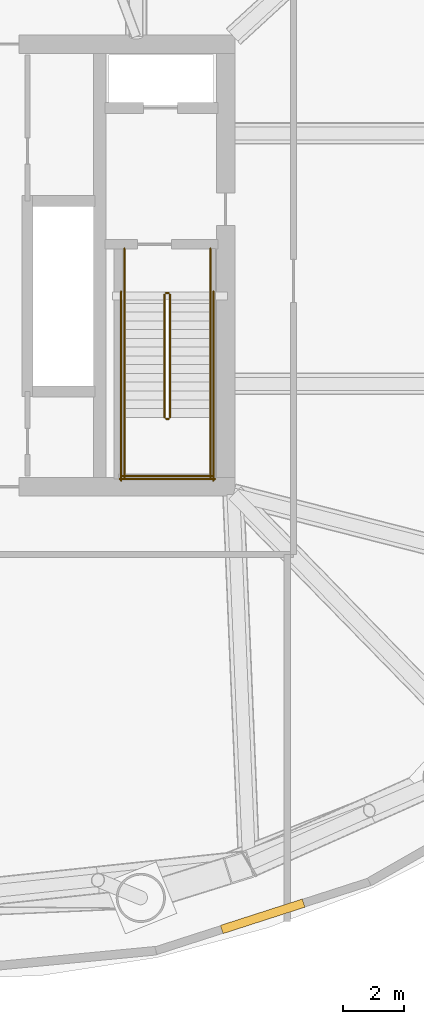
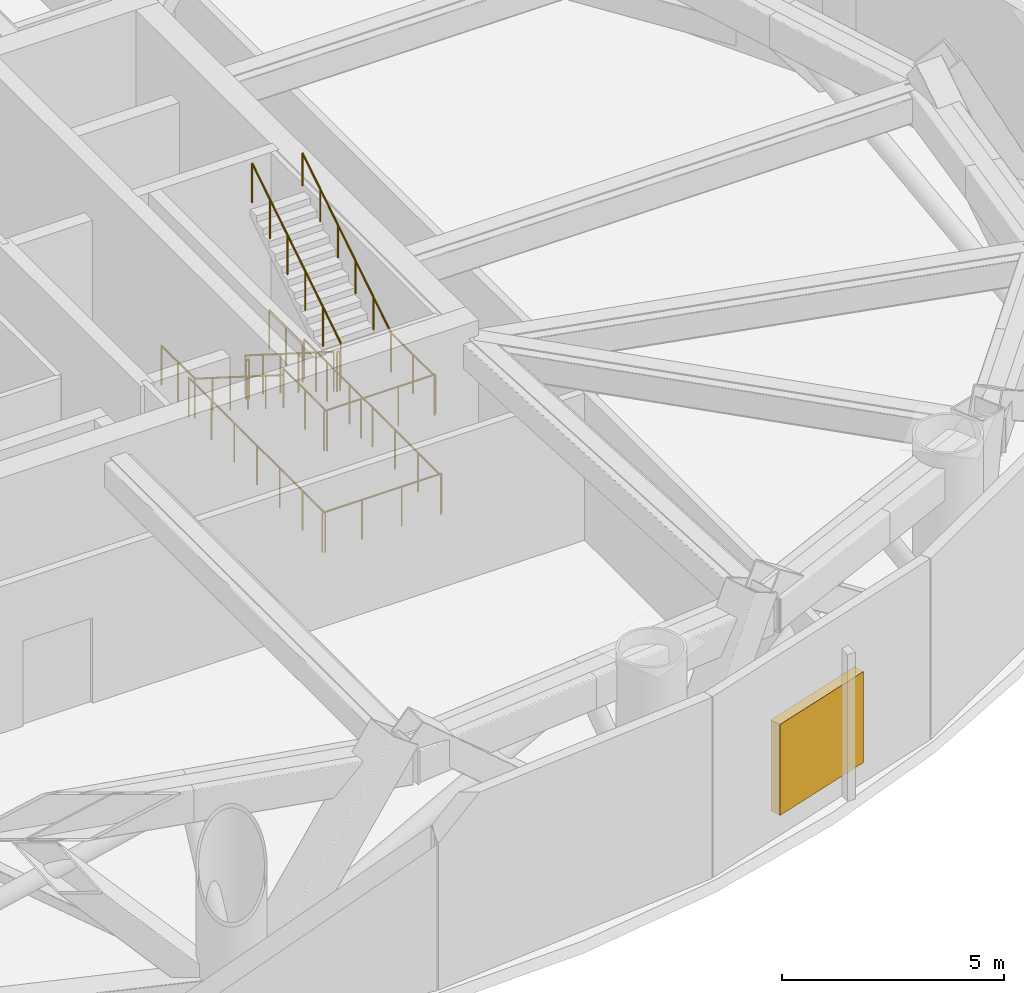
# One storey, part 12 of 13: 14 railings, 1 shading device.
"""IFC4 building model written with IfcOpenShell, lengths in metres."""

from ifc_helpers import new_model, si_unit, direction, frame, origin, origin_2d, place, context, subcontext, project, spatial, rectangle, circle, extrude, material, type_object, element, save


model = new_model("IFC4")

# Units and contexts
model_context = context("Model", 3, precision=1e-05, world=origin(), true_north=direction((0.0, 1.0)))
body_context = subcontext(model_context, "Body", "Model", "MODEL_VIEW")
ifc_project = project(units=[si_unit("LENGTHUNIT", "METRE"), si_unit("AREAUNIT", "SQUARE_METRE"), si_unit("VOLUMEUNIT", "CUBIC_METRE"), si_unit("PLANEANGLEUNIT", "RADIAN"), si_unit("MASSUNIT", "GRAM", prefix="KILO")], contexts=[model_context])

# Site, building, storey
site_placement = place(None, origin())
site = spatial("IfcSite", under=ifc_project, at=site_placement, CompositionType="ELEMENT")
building_placement = place(site_placement, origin())
building = spatial("IfcBuilding", under=site, at=building_placement, Name="Bramvorn Convention Spire", CompositionType="ELEMENT")
storey_placement = place(building_placement, frame((0.0, 0.0, 97.39990234375)))
storey = spatial("IfcBuildingStorey", under=building, at=storey_placement, Name="L23", CompositionType="ELEMENT", Elevation=97.39990234375)

# Railings
ifc_material_1 = material(Name="Painted Steel Balustrade & Guardrail", Category="steel")
railing_type_1 = type_object("IfcRailingType", Name="RL-STAIR-GUARD-1100", PredefinedType="GUARDRAIL", material=ifc_material_1)
railing_1_placement = place(storey_placement, frame((47.010009765625, 25.050048828125, 0.18017578125)))
element("IfcRailing", 1, at=railing_1_placement, inside=storey, type_object=railing_type_1, Name="L23 ST2 stair guard 1", PredefinedType="GUARDRAIL", context=body_context, shape_type="SweptSolid", body=[
    extrude(circle(Radius=0.02392578125, at=origin_2d()), frame((0.0, 0.0, 1.076171875), z_axis=(0.0, -0.845486444383, 0.533996884227), x_axis=(1.0, 0.0, 0.0)), (0.0, 0.0, 1.0), 4.71923828125),
    extrude(circle(Radius=0.02099609375, at=origin_2d()), origin(), (0.0, 0.0, 1.0), 1.052001953125),
    extrude(circle(Radius=0.02099609375, at=origin_2d()), frame((0.0, -0.798095703125, 0.50390625)), (0.0, 0.0, 1.0), 1.052001953125),
    extrude(circle(Radius=0.02099609375, at=origin_2d()), frame((0.0, -1.595947265625, 1.008056640625)), (0.0, 0.0, 1.0), 1.052001953125),
    extrude(circle(Radius=0.02099609375, at=origin_2d()), frame((0.0, -2.39404296875, 1.511962890625)), (0.0, 0.0, 1.0), 1.052001953125),
    extrude(circle(Radius=0.02099609375, at=origin_2d()), frame((0.0, -3.19189453125, 2.01611328125)), (0.0, 0.0, 1.0), 1.052001953125),
    extrude(circle(Radius=0.02099609375, at=origin_2d()), frame((0.0, -3.989990234375, 2.52001953125)), (0.0, 0.0, 1.0), 1.052001953125),
])
railing_2_placement = place(storey_placement, frame((47.06005859375, 21.010009765625, 2.7001953125)))
element("IfcRailing", 2, at=railing_2_placement, inside=storey, type_object=railing_type_1, Name="L23 ST2 stair guard 2", PredefinedType="GUARDRAIL", context=body_context, shape_type="SweptSolid", body=[
    extrude(circle(Radius=0.02392578125, at=origin_2d()), frame((0.0, 0.0, 1.076171875), z_axis=(1.0, 0.0, 0.0), x_axis=(0.0, 1.0, 0.0)), (0.0, 0.0, 1.0), 0.079833984375),
    extrude(circle(Radius=0.02099609375, at=origin_2d()), origin(), (0.0, 0.0, 1.0), 1.052001953125),
    extrude(circle(Radius=0.02099609375, at=origin_2d()), frame((0.079833984375, 0.0, 0.0)), (0.0, 0.0, 1.0), 1.052001953125),
])
for number, where, name in (
    (3, (45.699951171875, 21.06005859375, 2.7001953125), "L23 ST2 stair guard 3"),
    (4, (48.5, 21.06005859375, 2.7001953125), "L23 ST2 stair guard 4"),
):
    element("IfcRailing", number, at=place(storey_placement, frame(where)), inside=storey, type_object=railing_type_1, Name=name, PredefinedType="GUARDRAIL", context=body_context, shape_type="SweptSolid", body=[
        extrude(circle(Radius=0.02392578125, at=origin_2d()), frame((0.0, 0.0, 1.076171875), z_axis=(0.0, -1.0, 0.0), x_axis=(1.0, 0.0, 0.0)), (0.0, 0.0, 1.0), 1.9599609375),
        extrude(circle(Radius=0.02099609375, at=origin_2d()), origin(), (0.0, 0.0, 1.0), 1.052001953125),
        extrude(circle(Radius=0.02099609375, at=origin_2d()), frame((0.0, -0.97998046875, 0.0)), (0.0, 0.0, 1.0), 1.052001953125),
        extrude(circle(Radius=0.02099609375, at=origin_2d()), frame((0.0, -1.9599609375, 0.0)), (0.0, 0.0, 1.0), 1.052001953125),
    ])
railing_3_placement = place(storey_placement, frame((45.64990234375, 19.14990234375, 2.7001953125)))
element("IfcRailing", 5, at=railing_3_placement, inside=storey, type_object=railing_type_1, Name="L23 ST2 stair guard 5", PredefinedType="GUARDRAIL", context=body_context, shape_type="SweptSolid", body=[
    extrude(circle(Radius=0.02392578125, at=origin_2d()), frame((0.0, 0.0, 1.076171875), z_axis=(1.0, 0.0, 0.0), x_axis=(0.0, 1.0, 0.0)), (0.0, 0.0, 1.0), 2.900146484375),
    extrude(circle(Radius=0.02099609375, at=origin_2d()), origin(), (0.0, 0.0, 1.0), 1.052001953125),
    extrude(circle(Radius=0.02099609375, at=origin_2d()), frame((0.966796875, 0.0, 0.0)), (0.0, 0.0, 1.0), 1.052001953125),
    extrude(circle(Radius=0.02099609375, at=origin_2d()), frame((1.933349609375, 0.0, 0.0)), (0.0, 0.0, 1.0), 1.052001953125),
    extrude(circle(Radius=0.02099609375, at=origin_2d()), frame((2.900146484375, 0.0, 0.0)), (0.0, 0.0, 1.0), 1.052001953125),
])
railing_4_placement = place(storey_placement, frame((47.18994140625, 21.06005859375, 2.880126953125)))
element("IfcRailing", 6, at=railing_4_placement, inside=storey, type_object=railing_type_1, Name="L23 ST2 stair guard 6", PredefinedType="GUARDRAIL", context=body_context, shape_type="SweptSolid", body=[
    extrude(circle(Radius=0.02392578125, at=origin_2d()), frame((0.0, 0.0, 1.076171875), z_axis=(0.0, 0.845486444383, 0.533996884227), x_axis=(-1.0, 0.0, 0.0)), (0.0, 0.0, 1.0), 4.71923828125),
    extrude(circle(Radius=0.02099609375, at=origin_2d()), origin(), (0.0, 0.0, 1.0), 1.052001953125),
    extrude(circle(Radius=0.02099609375, at=origin_2d()), frame((0.0, 0.798095703125, 0.50390625)), (0.0, 0.0, 1.0), 1.052001953125),
    extrude(circle(Radius=0.02099609375, at=origin_2d()), frame((0.0, 1.595947265625, 1.008056640625)), (0.0, 0.0, 1.0), 1.052001953125),
    extrude(circle(Radius=0.02099609375, at=origin_2d()), frame((0.0, 2.39404296875, 1.511962890625)), (0.0, 0.0, 1.0), 1.052001953125),
    extrude(circle(Radius=0.02099609375, at=origin_2d()), frame((0.0, 3.19189453125, 2.01611328125)), (0.0, 0.0, 1.0), 1.052001953125),
    extrude(circle(Radius=0.02099609375, at=origin_2d()), frame((0.0, 3.989990234375, 2.52001953125)), (0.0, 0.0, 1.0), 1.052001953125),
])
railing_5_placement = place(storey_placement, frame((47.06005859375, 25.10009765625, 0.0)))
element("IfcRailing", 7, at=railing_5_placement, inside=storey, type_object=railing_type_1, Name="L23 ST2 stair guard 7", PredefinedType="GUARDRAIL", context=body_context, shape_type="SweptSolid", body=[
    extrude(circle(Radius=0.02392578125, at=origin_2d()), frame((0.0, 0.0, 1.076171875), z_axis=(1.0, 0.0, 0.0), x_axis=(0.0, 1.0, 0.0)), (0.0, 0.0, 1.0), 0.079833984375),
    extrude(circle(Radius=0.02099609375, at=origin_2d()), origin(), (0.0, 0.0, 1.0), 1.052001953125),
    extrude(circle(Radius=0.02099609375, at=origin_2d()), frame((0.079833984375, 0.0, 0.0)), (0.0, 0.0, 1.0), 1.052001953125),
])
for number, where, name in (
    (8, (45.699951171875, 26.550048828125, 0.0), "L23 ST2 stair guard 8"),
    (9, (48.5, 26.550048828125, 0.0), "L23 ST2 stair guard 9"),
):
    element("IfcRailing", number, at=place(storey_placement, frame(where)), inside=storey, type_object=railing_type_1, Name=name, PredefinedType="GUARDRAIL", context=body_context, shape_type="SweptSolid", body=[
        extrude(circle(Radius=0.02392578125, at=origin_2d()), frame((0.0, 0.0, 1.076171875), z_axis=(0.0, -1.0, 0.0), x_axis=(1.0, 0.0, 0.0)), (0.0, 0.0, 1.0), 1.5),
        extrude(circle(Radius=0.02099609375, at=origin_2d()), origin(), (0.0, 0.0, 1.0), 1.052001953125),
        extrude(circle(Radius=0.02099609375, at=origin_2d()), frame((0.0, -0.75, 0.0)), (0.0, 0.0, 1.0), 1.052001953125),
        extrude(circle(Radius=0.02099609375, at=origin_2d()), frame((0.0, -1.5, 0.0)), (0.0, 0.0, 1.0), 1.052001953125),
    ])
for number, where, name in (
    (10, (45.60009765625, 25.14990234375, 0.0), "L23 ST2 stair guard 10"),
    (11, (48.60009765625, 25.14990234375, 0.0), "L23 ST2 stair guard 11"),
):
    element("IfcRailing", number, at=place(storey_placement, frame(where)), inside=storey, type_object=railing_type_1, Name=name, PredefinedType="GUARDRAIL", context=body_context, shape_type="SweptSolid", body=[
        extrude(circle(Radius=0.02392578125, at=origin_2d()), frame((0.0, 0.0, 1.076171875), z_axis=(0.0, -1.0, 0.0), x_axis=(1.0, 0.0, 0.0)), (0.0, 0.0, 1.0), 6.14990234375),
        extrude(circle(Radius=0.02099609375, at=origin_2d()), origin(), (0.0, 0.0, 1.0), 1.052001953125),
        extrude(circle(Radius=0.02099609375, at=origin_2d()), frame((0.0, -1.02490234375, 0.0)), (0.0, 0.0, 1.0), 1.052001953125),
        extrude(circle(Radius=0.02099609375, at=origin_2d()), frame((0.0, -2.050048828125, 0.0)), (0.0, 0.0, 1.0), 1.052001953125),
        extrude(circle(Radius=0.02099609375, at=origin_2d()), frame((0.0, -3.074951171875, 0.0)), (0.0, 0.0, 1.0), 1.052001953125),
        extrude(circle(Radius=0.02099609375, at=origin_2d()), frame((0.0, -4.099853515625, 0.0)), (0.0, 0.0, 1.0), 1.052001953125),
        extrude(circle(Radius=0.02099609375, at=origin_2d()), frame((0.0, -5.125, 0.0)), (0.0, 0.0, 1.0), 1.052001953125),
        extrude(circle(Radius=0.02099609375, at=origin_2d()), frame((0.0, -6.14990234375, 0.0)), (0.0, 0.0, 1.0), 1.052001953125),
    ])
railing_6_placement = place(storey_placement, frame((45.550048828125, 19.050048828125, 0.0)))
element("IfcRailing", 12, at=railing_6_placement, inside=storey, type_object=railing_type_1, Name="L23 ST2 stair guard 12", PredefinedType="GUARDRAIL", context=body_context, shape_type="SweptSolid", body=[
    extrude(circle(Radius=0.02392578125, at=origin_2d()), frame((0.0, 0.0, 1.076171875), z_axis=(1.0, 0.0, 0.0), x_axis=(0.0, 1.0, 0.0)), (0.0, 0.0, 1.0), 3.099853515625),
    extrude(circle(Radius=0.02099609375, at=origin_2d()), origin(), (0.0, 0.0, 1.0), 1.052001953125),
    extrude(circle(Radius=0.02099609375, at=origin_2d()), frame((1.033203125, 0.0, 0.0)), (0.0, 0.0, 1.0), 1.052001953125),
    extrude(circle(Radius=0.02099609375, at=origin_2d()), frame((2.066650390625, 0.0, 0.0)), (0.0, 0.0, 1.0), 1.052001953125),
    extrude(circle(Radius=0.02099609375, at=origin_2d()), frame((3.099853515625, 0.0, 0.0)), (0.0, 0.0, 1.0), 1.052001953125),
])
ifc_material_2 = material(Name="Brushed Bronze Tubular Handrail", Category="aluminium")
railing_type_2 = type_object("IfcRailingType", Name="RL-STAIR-HR-920", PredefinedType="HANDRAIL", material=ifc_material_2)
railing_7_placement = place(storey_placement, frame((45.699951171875, 25.050048828125, 0.18017578125)))
element("IfcRailing", 13, at=railing_7_placement, inside=storey, type_object=railing_type_2, Name="L23 ST2 stair handrail 1", PredefinedType="HANDRAIL", context=body_context, shape_type="SweptSolid", body=[
    extrude(circle(Radius=0.02392578125, at=origin_2d()), frame((0.0, 0.0, 0.89599609375), z_axis=(0.0, -0.845486444383, 0.533996884227), x_axis=(1.0, 0.0, 0.0)), (0.0, 0.0, 1.0), 4.71923828125),
    extrude(circle(Radius=0.02099609375, at=origin_2d()), origin(), (0.0, 0.0, 1.0), 0.871826171875),
    extrude(circle(Radius=0.02099609375, at=origin_2d()), frame((0.0, -0.798095703125, 0.50390625)), (0.0, 0.0, 1.0), 0.871826171875),
    extrude(circle(Radius=0.02099609375, at=origin_2d()), frame((0.0, -1.595947265625, 1.008056640625)), (0.0, 0.0, 1.0), 0.871826171875),
    extrude(circle(Radius=0.02099609375, at=origin_2d()), frame((0.0, -2.39404296875, 1.511962890625)), (0.0, 0.0, 1.0), 0.871826171875),
    extrude(circle(Radius=0.02099609375, at=origin_2d()), frame((0.0, -3.19189453125, 2.01611328125)), (0.0, 0.0, 1.0), 0.871826171875),
    extrude(circle(Radius=0.02099609375, at=origin_2d()), frame((0.0, -3.989990234375, 2.52001953125)), (0.0, 0.0, 1.0), 0.871826171875),
])
railing_8_placement = place(storey_placement, frame((48.5, 21.06005859375, 2.880126953125)))
element("IfcRailing", 14, at=railing_8_placement, inside=storey, type_object=railing_type_2, Name="L23 ST2 stair handrail 2", PredefinedType="HANDRAIL", context=body_context, shape_type="SweptSolid", body=[
    extrude(circle(Radius=0.02392578125, at=origin_2d()), frame((0.0, 0.0, 0.89599609375), z_axis=(0.0, 0.845486444383, 0.533996884227), x_axis=(-1.0, 0.0, 0.0)), (0.0, 0.0, 1.0), 4.71923828125),
    extrude(circle(Radius=0.02099609375, at=origin_2d()), origin(), (0.0, 0.0, 1.0), 0.871826171875),
    extrude(circle(Radius=0.02099609375, at=origin_2d()), frame((0.0, 0.798095703125, 0.50390625)), (0.0, 0.0, 1.0), 0.871826171875),
    extrude(circle(Radius=0.02099609375, at=origin_2d()), frame((0.0, 1.595947265625, 1.008056640625)), (0.0, 0.0, 1.0), 0.871826171875),
    extrude(circle(Radius=0.02099609375, at=origin_2d()), frame((0.0, 2.39404296875, 1.511962890625)), (0.0, 0.0, 1.0), 0.871826171875),
    extrude(circle(Radius=0.02099609375, at=origin_2d()), frame((0.0, 3.19189453125, 2.01611328125)), (0.0, 0.0, 1.0), 0.871826171875),
    extrude(circle(Radius=0.02099609375, at=origin_2d()), frame((0.0, 3.989990234375, 2.52001953125)), (0.0, 0.0, 1.0), 0.871826171875),
])

# Shading device
ifc_material_3 = material(Name="Acoustic Storm-Proof Anodised Bronze Aluminium Louvre", Category="aluminium")
shading_device_type = type_object("IfcShadingDeviceType", Name="SHD-LOUVRE-PLANT", PredefinedType="JALOUSIE", material=ifc_material_3)
shading_device_placement = place(storey_placement, frame((50.203125, 4.82421875, 0.550048828125), z_axis=(0.0, 0.0, 1.0), x_axis=(-0.951726453445, -0.306947483804, 0.0)))
element("IfcShadingDevice", 15, at=shading_device_placement, inside=storey, type_object=shading_device_type, Name="L23 plant intake/exhaust acoustic louvre 21", PredefinedType="JALOUSIE", context=body_context, shape_type="SweptSolid", body=[
    extrude(rectangle(XDim=2.800048828125, YDim=0.280029296875, at=origin_2d()), origin(), (0.0, 0.0, 1.0), 2.5),
])

save(model, "model.ifc")
